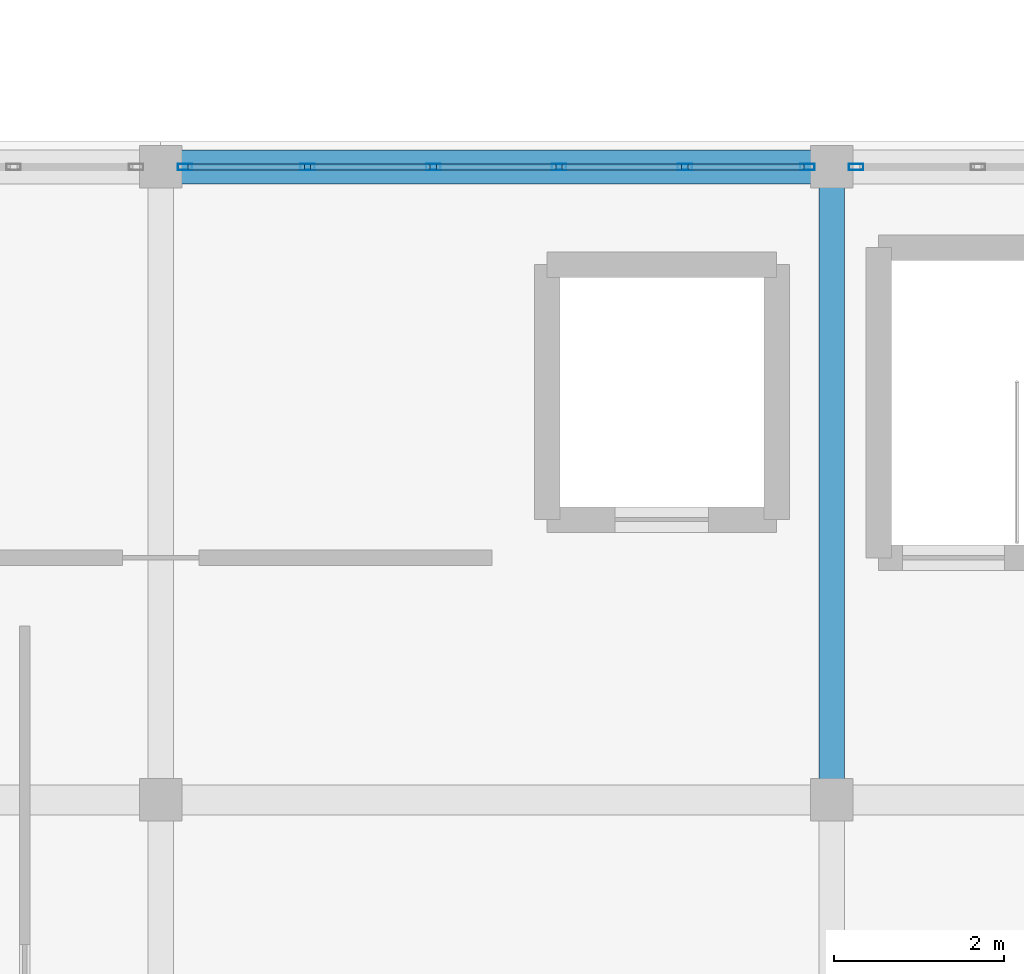
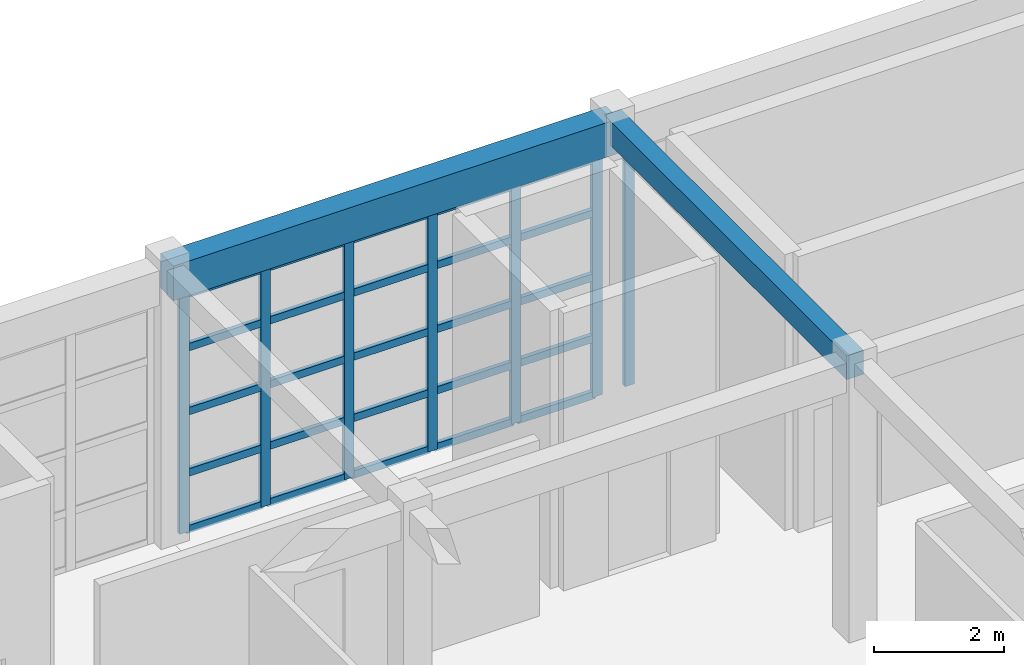
# One storey, part 13 of 103: 32 members, 2 beams, 2 elements without a shape of their own.
"""IFC4 building model written with IfcOpenShell, lengths in metres."""

from ifc_helpers import new_model, si_unit, direction, frame, origin, origin_2d, place, context, subcontext, project, spatial, rectangle, hollow_rectangle, extrude, material, layer, layer_set, material_profile, profile_set, type_object, element, aggregate, save


model = new_model("IFC4")

# Units and contexts
model_context = context("Model", 3, precision=1e-05, world=origin(), true_north=direction((0.0, 1.0)))
body_context = subcontext(model_context, "Body", "Model", "MODEL_VIEW")
ifc_project = project(units=[si_unit("LENGTHUNIT", "METRE"), si_unit("AREAUNIT", "SQUARE_METRE"), si_unit("VOLUMEUNIT", "CUBIC_METRE"), si_unit("PLANEANGLEUNIT", "RADIAN"), si_unit("MASSUNIT", "GRAM", prefix="KILO")], contexts=[model_context])

# Site, building, storey
site_placement = place(None, origin())
site = spatial("IfcSite", under=ifc_project, at=site_placement, CompositionType="ELEMENT")
building_placement = place(site_placement, origin())
building = spatial("IfcBuilding", under=site, at=building_placement, Name="Candilejo Ridge Gondola Terminal", CompositionType="ELEMENT")
storey_placement = place(building_placement, frame((0.0, 0.0, 9.0)))
storey = spatial("IfcBuildingStorey", under=building, at=storey_placement, Name="L02", CompositionType="ELEMENT", Elevation=9.0)

# Curtain wall, members
ifc_material_1 = material(Name="Anodised aluminium AA 6063-T6", Category="aluminium")
ifc_layer_1 = layer(ifc_material_1, 0.169921875)
ifc_layer_set_1 = layer_set([ifc_layer_1], Name="ARC-CW-GALLERY-3200-740X449")
curtain_wall_type_1 = type_object("IfcCurtainWallType", Name="ARC-CW-GALLERY-3200-740X449", PredefinedType="NOTDEFINED", material=ifc_layer_set_1)
curtain_wall_1_placement = place(storey_placement, origin())
curtain_wall_1 = element("IfcCurtainWall", 1, at=curtain_wall_1_placement, inside=storey, type_object=curtain_wall_type_1, Name="Curtain wall V1 L02-012", PredefinedType="NOTDEFINED")
ifc_material_2 = material(Name="Anodised aluminium AA 6063-T6", Category="aluminium")
ifc_material_profile_1 = material_profile(ifc_material_2, hollow_rectangle(XDim=0.074951171875, YDim=0.169921875, WallThickness=0.00390625, at=origin_2d()))
ifc_profile_set_1 = profile_set([ifc_material_profile_1], Name="Anodised aluminium AA 6063-T6")
member_type_1 = type_object("IfcMemberType", Name="ARC-CW-MULLION", PredefinedType="MULLION", material=ifc_profile_set_1)
member_1_placement = place(storey_placement, frame((20.387451171875, 25.699951171875, 0.0), z_axis=(0.0, 0.0, 1.0), x_axis=(0.0, 1.0, 0.0)))
member_1 = element("IfcMember", 2, at=member_1_placement, type_object=member_type_1, Name="CW-74X44 mullion 1", PredefinedType="MULLION", context=body_context, shape_type="SweptSolid", body=[
    extrude(hollow_rectangle(XDim=0.074951171875, YDim=0.169921875, WallThickness=0.00390625, at=origin_2d()), origin(), (0.0, 0.0, 1.0), 4.489990234375),
])
member_2_placement = place(storey_placement, frame((21.830078125, 25.699951171875, 0.0), z_axis=(0.0, 0.0, 1.0), x_axis=(0.0, 1.0, 0.0)))
member_2 = element("IfcMember", 3, at=member_2_placement, type_object=member_type_1, Name="CW-74X44 mullion 2", PredefinedType="MULLION", context=body_context, shape_type="SweptSolid", body=[
    extrude(hollow_rectangle(XDim=0.074951171875, YDim=0.169921875, WallThickness=0.00390625, at=origin_2d()), origin(), (0.0, 0.0, 1.0), 4.489990234375),
])
member_3_placement = place(storey_placement, frame((23.31005859375, 25.699951171875, 0.0), z_axis=(0.0, 0.0, 1.0), x_axis=(0.0, 1.0, 0.0)))
member_3 = element("IfcMember", 4, at=member_3_placement, type_object=member_type_1, Name="CW-74X44 mullion 3", PredefinedType="MULLION", context=body_context, shape_type="SweptSolid", body=[
    extrude(hollow_rectangle(XDim=0.074951171875, YDim=0.169921875, WallThickness=0.00390625, at=origin_2d()), origin(), (0.0, 0.0, 1.0), 4.489990234375),
])
member_4_placement = place(storey_placement, frame((24.7900390625, 25.699951171875, 0.0), z_axis=(0.0, 0.0, 1.0), x_axis=(0.0, 1.0, 0.0)))
member_4 = element("IfcMember", 5, at=member_4_placement, type_object=member_type_1, Name="CW-74X44 mullion 4", PredefinedType="MULLION", context=body_context, shape_type="SweptSolid", body=[
    extrude(hollow_rectangle(XDim=0.074951171875, YDim=0.169921875, WallThickness=0.00390625, at=origin_2d()), origin(), (0.0, 0.0, 1.0), 4.489990234375),
])
member_5_placement = place(storey_placement, frame((26.27001953125, 25.699951171875, 0.0), z_axis=(0.0, 0.0, 1.0), x_axis=(0.0, 1.0, 0.0)))
member_5 = element("IfcMember", 6, at=member_5_placement, type_object=member_type_1, Name="CW-74X44 mullion 5", PredefinedType="MULLION", context=body_context, shape_type="SweptSolid", body=[
    extrude(hollow_rectangle(XDim=0.074951171875, YDim=0.169921875, WallThickness=0.00390625, at=origin_2d()), origin(), (0.0, 0.0, 1.0), 4.489990234375),
])
member_6_placement = place(storey_placement, frame((27.71240234375, 25.699951171875, 0.0), z_axis=(0.0, 0.0, 1.0), x_axis=(0.0, 1.0, 0.0)))
member_6 = element("IfcMember", 7, at=member_6_placement, type_object=member_type_1, Name="CW-74X44 mullion 6", PredefinedType="MULLION", context=body_context, shape_type="SweptSolid", body=[
    extrude(hollow_rectangle(XDim=0.074951171875, YDim=0.169921875, WallThickness=0.00390625, at=origin_2d()), origin(), (0.0, 0.0, 1.0), 4.489990234375),
])

# Curtain wall, member
ifc_material_3 = material(Name="Anodised aluminium AA 6063-T6", Category="aluminium")
ifc_layer_2 = layer(ifc_material_3, 0.169921875)
ifc_layer_set_2 = layer_set([ifc_layer_2], Name="ARC-CW-GALLERY-3200-735X449")
curtain_wall_type_2 = type_object("IfcCurtainWallType", Name="ARC-CW-GALLERY-3200-735X449", PredefinedType="NOTDEFINED", material=ifc_layer_set_2)
curtain_wall_2_placement = place(storey_placement, origin())
curtain_wall_2 = element("IfcCurtainWall", 8, at=curtain_wall_2_placement, inside=storey, type_object=curtain_wall_type_2, Name="Curtain wall V1 L02-016", PredefinedType="NOTDEFINED")
member_7_placement = place(storey_placement, frame((28.28759765625, 25.699951171875, 0.0), z_axis=(0.0, 0.0, 1.0), x_axis=(0.0, 1.0, 0.0)))
member_7 = element("IfcMember", 9, at=member_7_placement, type_object=member_type_1, Name="CW-73X44 mullion 1", PredefinedType="MULLION", context=body_context, shape_type="SweptSolid", body=[
    extrude(hollow_rectangle(XDim=0.074951171875, YDim=0.169921875, WallThickness=0.00390625, at=origin_2d()), origin(), (0.0, 0.0, 1.0), 4.489990234375),
])
aggregate(curtain_wall_2, [member_7])

# Member
ifc_material_4 = material(Name="Anodised aluminium AA 6063-T6", Category="aluminium")
ifc_material_profile_2 = material_profile(ifc_material_4, hollow_rectangle(XDim=0.074951171875, YDim=0.139892578125, WallThickness=0.00390625, at=origin_2d()))
ifc_profile_set_2 = profile_set([ifc_material_profile_2], Name="Anodised aluminium AA 6063-T6")
member_type_2 = type_object("IfcMemberType", Name="ARC-CW-TRANSOM", PredefinedType="USERDEFINED", material=ifc_profile_set_2)
member_8_placement = place(storey_placement, frame((20.425048828125, 25.699951171875, 0.03759765625), z_axis=(1.0, 0.0, 0.0), x_axis=(0.0, 1.0, 0.0)))
member_8 = element("IfcMember", 10, at=member_8_placement, type_object=member_type_2, Name="CW-74X44 transom 1.1", ObjectType="TRANSOM", PredefinedType="USERDEFINED", context=body_context, shape_type="SweptSolid", body=[
    extrude(hollow_rectangle(XDim=0.074951171875, YDim=0.139892578125, WallThickness=0.00390625, at=origin_2d()), origin(), (0.0, 0.0, 1.0), 1.367431640625),
])

member_9_placement = place(storey_placement, frame((20.425048828125, 25.699951171875, 1.10009765625), z_axis=(1.0, 0.0, 0.0), x_axis=(0.0, 1.0, 0.0)))
member_9 = element("IfcMember", 11, at=member_9_placement, type_object=member_type_2, Name="CW-74X44 transom 1.2", ObjectType="TRANSOM", PredefinedType="USERDEFINED", context=body_context, shape_type="SweptSolid", body=[
    extrude(hollow_rectangle(XDim=0.074951171875, YDim=0.139892578125, WallThickness=0.00390625, at=origin_2d()), origin(), (0.0, 0.0, 1.0), 1.367431640625),
])

member_10_placement = place(storey_placement, frame((20.425048828125, 25.699951171875, 2.25), z_axis=(1.0, 0.0, 0.0), x_axis=(0.0, 1.0, 0.0)))
member_10 = element("IfcMember", 12, at=member_10_placement, type_object=member_type_2, Name="CW-74X44 transom 1.3", ObjectType="TRANSOM", PredefinedType="USERDEFINED", context=body_context, shape_type="SweptSolid", body=[
    extrude(hollow_rectangle(XDim=0.074951171875, YDim=0.139892578125, WallThickness=0.00390625, at=origin_2d()), origin(), (0.0, 0.0, 1.0), 1.367431640625),
])

member_11_placement = place(storey_placement, frame((20.425048828125, 25.699951171875, 3.449951171875), z_axis=(1.0, 0.0, 0.0), x_axis=(0.0, 1.0, 0.0)))
member_11 = element("IfcMember", 13, at=member_11_placement, type_object=member_type_2, Name="CW-74X44 transom 1.4", ObjectType="TRANSOM", PredefinedType="USERDEFINED", context=body_context, shape_type="SweptSolid", body=[
    extrude(hollow_rectangle(XDim=0.074951171875, YDim=0.139892578125, WallThickness=0.00390625, at=origin_2d()), origin(), (0.0, 0.0, 1.0), 1.367431640625),
])

member_12_placement = place(storey_placement, frame((20.425048828125, 25.699951171875, 4.452392578125), z_axis=(1.0, 0.0, 0.0), x_axis=(0.0, 1.0, 0.0)))
member_12 = element("IfcMember", 14, at=member_12_placement, type_object=member_type_2, Name="CW-74X44 transom 1.5", ObjectType="TRANSOM", PredefinedType="USERDEFINED", context=body_context, shape_type="SweptSolid", body=[
    extrude(hollow_rectangle(XDim=0.074951171875, YDim=0.139892578125, WallThickness=0.00390625, at=origin_2d()), origin(), (0.0, 0.0, 1.0), 1.367431640625),
])

member_13_placement = place(storey_placement, frame((21.867431640625, 25.699951171875, 0.03759765625), z_axis=(1.0, 0.0, 0.0), x_axis=(0.0, 1.0, 0.0)))
member_13 = element("IfcMember", 15, at=member_13_placement, type_object=member_type_2, Name="CW-74X44 transom 2.1", ObjectType="TRANSOM", PredefinedType="USERDEFINED", context=body_context, shape_type="SweptSolid", body=[
    extrude(hollow_rectangle(XDim=0.074951171875, YDim=0.139892578125, WallThickness=0.00390625, at=origin_2d()), origin(), (0.0, 0.0, 1.0), 1.405029296875),
])

member_14_placement = place(storey_placement, frame((21.867431640625, 25.699951171875, 1.10009765625), z_axis=(1.0, 0.0, 0.0), x_axis=(0.0, 1.0, 0.0)))
member_14 = element("IfcMember", 16, at=member_14_placement, type_object=member_type_2, Name="CW-74X44 transom 2.2", ObjectType="TRANSOM", PredefinedType="USERDEFINED", context=body_context, shape_type="SweptSolid", body=[
    extrude(hollow_rectangle(XDim=0.074951171875, YDim=0.139892578125, WallThickness=0.00390625, at=origin_2d()), origin(), (0.0, 0.0, 1.0), 1.405029296875),
])

member_15_placement = place(storey_placement, frame((21.867431640625, 25.699951171875, 2.25), z_axis=(1.0, 0.0, 0.0), x_axis=(0.0, 1.0, 0.0)))
member_15 = element("IfcMember", 17, at=member_15_placement, type_object=member_type_2, Name="CW-74X44 transom 2.3", ObjectType="TRANSOM", PredefinedType="USERDEFINED", context=body_context, shape_type="SweptSolid", body=[
    extrude(hollow_rectangle(XDim=0.074951171875, YDim=0.139892578125, WallThickness=0.00390625, at=origin_2d()), origin(), (0.0, 0.0, 1.0), 1.405029296875),
])

member_16_placement = place(storey_placement, frame((21.867431640625, 25.699951171875, 3.449951171875), z_axis=(1.0, 0.0, 0.0), x_axis=(0.0, 1.0, 0.0)))
member_16 = element("IfcMember", 18, at=member_16_placement, type_object=member_type_2, Name="CW-74X44 transom 2.4", ObjectType="TRANSOM", PredefinedType="USERDEFINED", context=body_context, shape_type="SweptSolid", body=[
    extrude(hollow_rectangle(XDim=0.074951171875, YDim=0.139892578125, WallThickness=0.00390625, at=origin_2d()), origin(), (0.0, 0.0, 1.0), 1.405029296875),
])

member_17_placement = place(storey_placement, frame((21.867431640625, 25.699951171875, 4.452392578125), z_axis=(1.0, 0.0, 0.0), x_axis=(0.0, 1.0, 0.0)))
member_17 = element("IfcMember", 19, at=member_17_placement, type_object=member_type_2, Name="CW-74X44 transom 2.5", ObjectType="TRANSOM", PredefinedType="USERDEFINED", context=body_context, shape_type="SweptSolid", body=[
    extrude(hollow_rectangle(XDim=0.074951171875, YDim=0.139892578125, WallThickness=0.00390625, at=origin_2d()), origin(), (0.0, 0.0, 1.0), 1.405029296875),
])

member_18_placement = place(storey_placement, frame((23.347412109375, 25.699951171875, 0.03759765625), z_axis=(1.0, 0.0, 0.0), x_axis=(0.0, 1.0, 0.0)))
member_18 = element("IfcMember", 20, at=member_18_placement, type_object=member_type_2, Name="CW-74X44 transom 3.1", ObjectType="TRANSOM", PredefinedType="USERDEFINED", context=body_context, shape_type="SweptSolid", body=[
    extrude(hollow_rectangle(XDim=0.074951171875, YDim=0.139892578125, WallThickness=0.00390625, at=origin_2d()), origin(), (0.0, 0.0, 1.0), 1.405029296875),
])

member_19_placement = place(storey_placement, frame((23.347412109375, 25.699951171875, 1.10009765625), z_axis=(1.0, 0.0, 0.0), x_axis=(0.0, 1.0, 0.0)))
member_19 = element("IfcMember", 21, at=member_19_placement, type_object=member_type_2, Name="CW-74X44 transom 3.2", ObjectType="TRANSOM", PredefinedType="USERDEFINED", context=body_context, shape_type="SweptSolid", body=[
    extrude(hollow_rectangle(XDim=0.074951171875, YDim=0.139892578125, WallThickness=0.00390625, at=origin_2d()), origin(), (0.0, 0.0, 1.0), 1.405029296875),
])

member_20_placement = place(storey_placement, frame((23.347412109375, 25.699951171875, 2.25), z_axis=(1.0, 0.0, 0.0), x_axis=(0.0, 1.0, 0.0)))
member_20 = element("IfcMember", 22, at=member_20_placement, type_object=member_type_2, Name="CW-74X44 transom 3.3", ObjectType="TRANSOM", PredefinedType="USERDEFINED", context=body_context, shape_type="SweptSolid", body=[
    extrude(hollow_rectangle(XDim=0.074951171875, YDim=0.139892578125, WallThickness=0.00390625, at=origin_2d()), origin(), (0.0, 0.0, 1.0), 1.405029296875),
])

member_21_placement = place(storey_placement, frame((23.347412109375, 25.699951171875, 3.449951171875), z_axis=(1.0, 0.0, 0.0), x_axis=(0.0, 1.0, 0.0)))
member_21 = element("IfcMember", 23, at=member_21_placement, type_object=member_type_2, Name="CW-74X44 transom 3.4", ObjectType="TRANSOM", PredefinedType="USERDEFINED", context=body_context, shape_type="SweptSolid", body=[
    extrude(hollow_rectangle(XDim=0.074951171875, YDim=0.139892578125, WallThickness=0.00390625, at=origin_2d()), origin(), (0.0, 0.0, 1.0), 1.405029296875),
])

member_22_placement = place(storey_placement, frame((23.347412109375, 25.699951171875, 4.452392578125), z_axis=(1.0, 0.0, 0.0), x_axis=(0.0, 1.0, 0.0)))
member_22 = element("IfcMember", 24, at=member_22_placement, type_object=member_type_2, Name="CW-74X44 transom 3.5", ObjectType="TRANSOM", PredefinedType="USERDEFINED", context=body_context, shape_type="SweptSolid", body=[
    extrude(hollow_rectangle(XDim=0.074951171875, YDim=0.139892578125, WallThickness=0.00390625, at=origin_2d()), origin(), (0.0, 0.0, 1.0), 1.405029296875),
])

member_23_placement = place(storey_placement, frame((24.827392578125, 25.699951171875, 0.03759765625), z_axis=(1.0, 0.0, 0.0), x_axis=(0.0, 1.0, 0.0)))
member_23 = element("IfcMember", 25, at=member_23_placement, type_object=member_type_2, Name="CW-74X44 transom 4.1", ObjectType="TRANSOM", PredefinedType="USERDEFINED", context=body_context, shape_type="SweptSolid", body=[
    extrude(hollow_rectangle(XDim=0.074951171875, YDim=0.139892578125, WallThickness=0.00390625, at=origin_2d()), origin(), (0.0, 0.0, 1.0), 1.405029296875),
])

member_24_placement = place(storey_placement, frame((24.827392578125, 25.699951171875, 1.10009765625), z_axis=(1.0, 0.0, 0.0), x_axis=(0.0, 1.0, 0.0)))
member_24 = element("IfcMember", 26, at=member_24_placement, type_object=member_type_2, Name="CW-74X44 transom 4.2", ObjectType="TRANSOM", PredefinedType="USERDEFINED", context=body_context, shape_type="SweptSolid", body=[
    extrude(hollow_rectangle(XDim=0.074951171875, YDim=0.139892578125, WallThickness=0.00390625, at=origin_2d()), origin(), (0.0, 0.0, 1.0), 1.405029296875),
])

member_25_placement = place(storey_placement, frame((24.827392578125, 25.699951171875, 2.25), z_axis=(1.0, 0.0, 0.0), x_axis=(0.0, 1.0, 0.0)))
member_25 = element("IfcMember", 27, at=member_25_placement, type_object=member_type_2, Name="CW-74X44 transom 4.3", ObjectType="TRANSOM", PredefinedType="USERDEFINED", context=body_context, shape_type="SweptSolid", body=[
    extrude(hollow_rectangle(XDim=0.074951171875, YDim=0.139892578125, WallThickness=0.00390625, at=origin_2d()), origin(), (0.0, 0.0, 1.0), 1.405029296875),
])

member_26_placement = place(storey_placement, frame((24.827392578125, 25.699951171875, 3.449951171875), z_axis=(1.0, 0.0, 0.0), x_axis=(0.0, 1.0, 0.0)))
member_26 = element("IfcMember", 28, at=member_26_placement, type_object=member_type_2, Name="CW-74X44 transom 4.4", ObjectType="TRANSOM", PredefinedType="USERDEFINED", context=body_context, shape_type="SweptSolid", body=[
    extrude(hollow_rectangle(XDim=0.074951171875, YDim=0.139892578125, WallThickness=0.00390625, at=origin_2d()), origin(), (0.0, 0.0, 1.0), 1.405029296875),
])

member_27_placement = place(storey_placement, frame((24.827392578125, 25.699951171875, 4.452392578125), z_axis=(1.0, 0.0, 0.0), x_axis=(0.0, 1.0, 0.0)))
member_27 = element("IfcMember", 29, at=member_27_placement, type_object=member_type_2, Name="CW-74X44 transom 4.5", ObjectType="TRANSOM", PredefinedType="USERDEFINED", context=body_context, shape_type="SweptSolid", body=[
    extrude(hollow_rectangle(XDim=0.074951171875, YDim=0.139892578125, WallThickness=0.00390625, at=origin_2d()), origin(), (0.0, 0.0, 1.0), 1.405029296875),
])

member_28_placement = place(storey_placement, frame((26.3076171875, 25.699951171875, 0.03759765625), z_axis=(1.0, 0.0, 0.0), x_axis=(0.0, 1.0, 0.0)))
member_28 = element("IfcMember", 30, at=member_28_placement, type_object=member_type_2, Name="CW-74X44 transom 5.1", ObjectType="TRANSOM", PredefinedType="USERDEFINED", context=body_context, shape_type="SweptSolid", body=[
    extrude(hollow_rectangle(XDim=0.074951171875, YDim=0.139892578125, WallThickness=0.00390625, at=origin_2d()), origin(), (0.0, 0.0, 1.0), 1.367431640625),
])

member_29_placement = place(storey_placement, frame((26.3076171875, 25.699951171875, 1.10009765625), z_axis=(1.0, 0.0, 0.0), x_axis=(0.0, 1.0, 0.0)))
member_29 = element("IfcMember", 31, at=member_29_placement, type_object=member_type_2, Name="CW-74X44 transom 5.2", ObjectType="TRANSOM", PredefinedType="USERDEFINED", context=body_context, shape_type="SweptSolid", body=[
    extrude(hollow_rectangle(XDim=0.074951171875, YDim=0.139892578125, WallThickness=0.00390625, at=origin_2d()), origin(), (0.0, 0.0, 1.0), 1.367431640625),
])

member_30_placement = place(storey_placement, frame((26.3076171875, 25.699951171875, 2.25), z_axis=(1.0, 0.0, 0.0), x_axis=(0.0, 1.0, 0.0)))
member_30 = element("IfcMember", 32, at=member_30_placement, type_object=member_type_2, Name="CW-74X44 transom 5.3", ObjectType="TRANSOM", PredefinedType="USERDEFINED", context=body_context, shape_type="SweptSolid", body=[
    extrude(hollow_rectangle(XDim=0.074951171875, YDim=0.139892578125, WallThickness=0.00390625, at=origin_2d()), origin(), (0.0, 0.0, 1.0), 1.367431640625),
])

member_31_placement = place(storey_placement, frame((26.3076171875, 25.699951171875, 3.449951171875), z_axis=(1.0, 0.0, 0.0), x_axis=(0.0, 1.0, 0.0)))
member_31 = element("IfcMember", 33, at=member_31_placement, type_object=member_type_2, Name="CW-74X44 transom 5.4", ObjectType="TRANSOM", PredefinedType="USERDEFINED", context=body_context, shape_type="SweptSolid", body=[
    extrude(hollow_rectangle(XDim=0.074951171875, YDim=0.139892578125, WallThickness=0.00390625, at=origin_2d()), origin(), (0.0, 0.0, 1.0), 1.367431640625),
])

member_32_placement = place(storey_placement, frame((26.3076171875, 25.699951171875, 4.452392578125), z_axis=(1.0, 0.0, 0.0), x_axis=(0.0, 1.0, 0.0)))
member_32 = element("IfcMember", 34, at=member_32_placement, type_object=member_type_2, Name="CW-74X44 transom 5.5", ObjectType="TRANSOM", PredefinedType="USERDEFINED", context=body_context, shape_type="SweptSolid", body=[
    extrude(hollow_rectangle(XDim=0.074951171875, YDim=0.139892578125, WallThickness=0.00390625, at=origin_2d()), origin(), (0.0, 0.0, 1.0), 1.367431640625),
])

aggregate(curtain_wall_1, [member_1, member_2, member_3, member_4, member_5, member_6, member_8, member_9, member_10, member_11, member_12, member_13, member_14, member_15, member_16, member_17, member_18, member_19, member_20, member_21, member_22, member_23, member_24, member_25, member_26, member_27, member_28, member_29, member_30, member_31, member_32])

# Beams
ifc_material_5 = material(Name="Concrete f'c 35 MPa (C35/45)", Category="concrete")
ifc_material_profile_3 = material_profile(ifc_material_5, rectangle(XDim=0.300048828125, YDim=0.449951171875, at=origin_2d()))
ifc_profile_set_3 = profile_set([ifc_material_profile_3], Name="Concrete f'c 35 MPa (C35/45)")
beam_type_1 = type_object("IfcBeamType", Name="STR-BM-RC300X450", PredefinedType="BEAM", material=ifc_profile_set_3)
beam_1_placement = place(storey_placement, frame((28.0, 18.25, 4.97509765625), z_axis=(0.0, 1.0, 0.0), x_axis=(-1.0, 0.0, 0.0)))
element("IfcBeam", 35, at=beam_1_placement, inside=storey, type_object=beam_type_1, Name="Beam Y V1 L02 Y03-Y05@X04", PredefinedType="BEAM", context=body_context, shape_type="SweptSolid", body=[
    extrude(rectangle(XDim=0.300048828125, YDim=0.449951171875, at=origin_2d()), origin(), (0.0, 0.0, 1.0), 7.449951171875),
])
ifc_material_6 = material(Name="Concrete f'c 35 MPa (C35/45)", Category="concrete")
ifc_material_profile_4 = material_profile(ifc_material_6, rectangle(XDim=0.39990234375, YDim=0.64990234375, at=origin_2d()))
ifc_profile_set_4 = profile_set([ifc_material_profile_4], Name="Concrete f'c 35 MPa (C35/45)")
beam_type_2 = type_object("IfcBeamType", Name="STR-SPN-RC400X650", PredefinedType="SPANDREL", material=ifc_profile_set_4)
beam_2_placement = place(storey_placement, frame((20.10009765625, 25.699951171875, 4.875), z_axis=(1.0, 0.0, 0.0), x_axis=(0.0, 1.0, 0.0)))
element("IfcBeam", 36, at=beam_2_placement, inside=storey, type_object=beam_type_2, Name="Beam X V1 L02 X03-X04@Y05", PredefinedType="SPANDREL", context=body_context, shape_type="SweptSolid", body=[
    extrude(rectangle(XDim=0.39990234375, YDim=0.64990234375, at=origin_2d()), origin(), (0.0, 0.0, 1.0), 7.89990234375),
])

save(model, "model.ifc")
